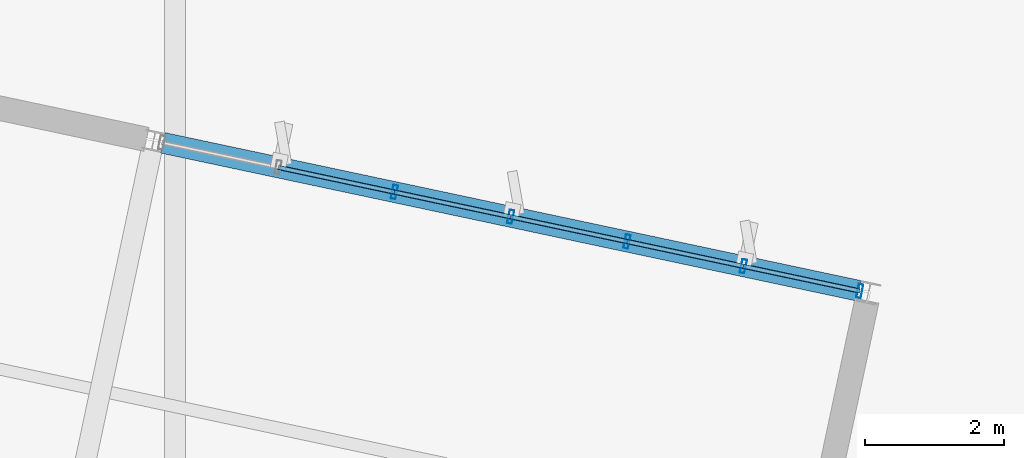
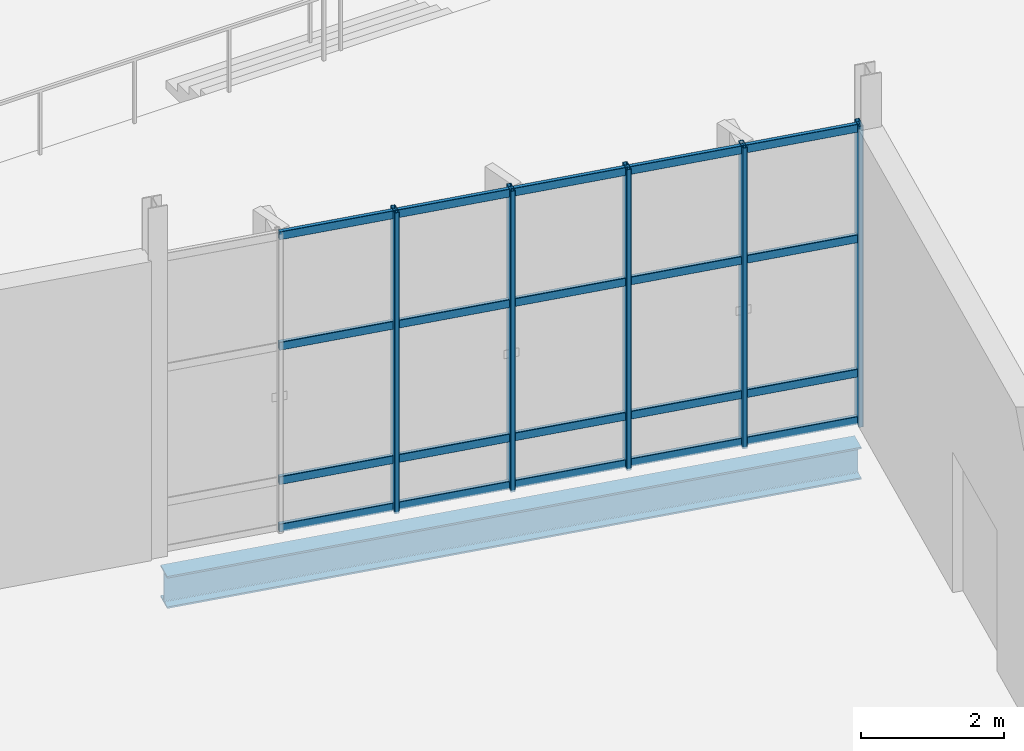
# One storey, part 59 of 163: 25 members, 1 beam, 1 element without a shape of its own.
"""IFC4 building model written with IfcOpenShell, lengths in metres."""

from ifc_helpers import new_model, si_unit, direction, frame, origin, origin_2d, place, context, subcontext, project, spatial, hollow_rectangle, i_section, extrude, material, layer, layer_set, material_profile, profile_set, type_object, element, aggregate, save


model = new_model("IFC4")

# Units and contexts
model_context = context("Model", 3, precision=1e-05, world=origin(), true_north=direction((0.0, 1.0)))
body_context = subcontext(model_context, "Body", "Model", "MODEL_VIEW")
ifc_project = project(units=[si_unit("LENGTHUNIT", "METRE"), si_unit("AREAUNIT", "SQUARE_METRE"), si_unit("VOLUMEUNIT", "CUBIC_METRE"), si_unit("PLANEANGLEUNIT", "RADIAN"), si_unit("MASSUNIT", "GRAM", prefix="KILO")], contexts=[model_context])

# Site, building, storey
site_placement = place(None, origin())
site = spatial("IfcSite", under=ifc_project, at=site_placement, CompositionType="ELEMENT")
building_placement = place(site_placement, origin())
building = spatial("IfcBuilding", under=site, at=building_placement, Name="Khorjan Park Terminus", CompositionType="ELEMENT")
storey_placement = place(building_placement, origin())
storey = spatial("IfcBuildingStorey", under=building, at=storey_placement, Name="L00", CompositionType="ELEMENT", Elevation=0.0)

# Beam
ifc_material_1 = material(Name="Steel S355", Category="steel")
ifc_material_profile_1 = material_profile(ifc_material_1, i_section(OverallWidth=0.3, OverallDepth=0.55, WebThickness=0.015, FlangeThickness=0.029, FilletRadius=0.027, at=origin_2d()), Name="HEB 550")
ifc_profile_set_1 = profile_set([ifc_material_profile_1], Name="Steel S355")
beam_type = type_object("IfcBeamType", Name="BM-HEB550", PredefinedType="BEAM", material=ifc_profile_set_1)
beam_placement = place(storey_placement, frame((23.8213, 80.6443, -0.615), z_axis=(0.978146464962, -0.207917034131, 0.0), x_axis=(0.207917034131, 0.978146464962, 0.0)))
element("IfcBeam", 1, at=beam_placement, inside=storey, type_object=beam_type, Name="Primary skew-grid floor girder SB-B55 (L00)", PredefinedType="BEAM", context=body_context, shape_type="SweptSolid", body=[
    extrude(i_section(OverallWidth=0.3, OverallDepth=0.55, WebThickness=0.015, FlangeThickness=0.029, FilletRadius=0.027, at=origin_2d()), origin(), (0.0, 0.0, 1.0), 10.2199),
])

# Curtain wall, members
ifc_material_2 = material(Name="Anodized Bronze Aluminium", Category="aluminium")
ifc_layer = layer(ifc_material_2, 0.22)
ifc_layer_set = layer_set([ifc_layer], Name="Anodized Bronze Aluminium")
curtain_wall_type = type_object("IfcCurtainWallType", Name="CW-PAV-C", PredefinedType="NOTDEFINED", material=ifc_layer_set)
curtain_wall_placement = place(storey_placement, origin())
curtain_wall = element("IfcCurtainWall", 2, at=curtain_wall_placement, inside=storey, type_object=curtain_wall_type, Name="Unitized curtain wall CW-C (CW-V4-N-L00-B01)", PredefinedType="NOTDEFINED")
ifc_material_profile_2 = material_profile(ifc_material_2, hollow_rectangle(XDim=0.07, YDim=0.2, WallThickness=0.005, InnerFilletRadius=0.005, OuterFilletRadius=0.01, at=origin_2d()), Name="ALM 70x200x5")
ifc_profile_set_2 = profile_set([ifc_material_profile_2], Name="Anodized Bronze Aluminium")
member_type_1 = type_object("IfcMemberType", Name="ML-ALM-200", PredefinedType="MULLION", material=ifc_profile_set_2)
member_1_placement = place(storey_placement, frame((33.8329, 78.5163, -0.035), z_axis=(0.0, 0.0, 1.0), x_axis=(-0.978149552254, 0.207902509423, 0.0)))
member_1 = element("IfcMember", 3, at=member_1_placement, type_object=member_type_1, Name="Curtain-wall mullion ML-20 (CW-V4-N-L00-B01-0)", PredefinedType="MULLION", context=body_context, shape_type="SweptSolid", body=[
    extrude(hollow_rectangle(XDim=0.07, YDim=0.2, WallThickness=0.005, InnerFilletRadius=0.005, OuterFilletRadius=0.01, at=origin_2d()), origin(), (0.0, 0.0, 1.0), 5.145),
])
member_2_placement = place(storey_placement, frame((32.1618, 78.8715, -0.035), z_axis=(0.0, 0.0, 1.0), x_axis=(-0.978149552254, 0.207902509423, 0.0)))
member_2 = element("IfcMember", 4, at=member_2_placement, type_object=member_type_1, Name="Curtain-wall mullion ML-20 (CW-V4-N-L00-B01-1)", PredefinedType="MULLION", context=body_context, shape_type="SweptSolid", body=[
    extrude(hollow_rectangle(XDim=0.07, YDim=0.2, WallThickness=0.005, InnerFilletRadius=0.005, OuterFilletRadius=0.01, at=origin_2d()), origin(), (0.0, 0.0, 1.0), 5.145),
])
member_3_placement = place(storey_placement, frame((30.4907, 79.2267, -0.035), z_axis=(0.0, 0.0, 1.0), x_axis=(-0.978149552254, 0.207902509423, 0.0)))
member_3 = element("IfcMember", 5, at=member_3_placement, type_object=member_type_1, Name="Curtain-wall mullion ML-20 (CW-V4-N-L00-B01-2)", PredefinedType="MULLION", context=body_context, shape_type="SweptSolid", body=[
    extrude(hollow_rectangle(XDim=0.07, YDim=0.2, WallThickness=0.005, InnerFilletRadius=0.005, OuterFilletRadius=0.01, at=origin_2d()), origin(), (0.0, 0.0, 1.0), 5.145),
])
member_4_placement = place(storey_placement, frame((28.8197, 79.5819, -0.035), z_axis=(0.0, 0.0, 1.0), x_axis=(-0.978149552254, 0.207902509423, 0.0)))
member_4 = element("IfcMember", 6, at=member_4_placement, type_object=member_type_1, Name="Curtain-wall mullion ML-20 (CW-V4-N-L00-B01-3)", PredefinedType="MULLION", context=body_context, shape_type="SweptSolid", body=[
    extrude(hollow_rectangle(XDim=0.07, YDim=0.2, WallThickness=0.005, InnerFilletRadius=0.005, OuterFilletRadius=0.01, at=origin_2d()), origin(), (0.0, 0.0, 1.0), 5.145),
])
member_5_placement = place(storey_placement, frame((27.1486, 79.937, -0.035), z_axis=(0.0, 0.0, 1.0), x_axis=(-0.978149552254, 0.207902509423, 0.0)))
member_5 = element("IfcMember", 7, at=member_5_placement, type_object=member_type_1, Name="Curtain-wall mullion ML-20 (CW-V4-N-L00-B01-4)", PredefinedType="MULLION", context=body_context, shape_type="SweptSolid", body=[
    extrude(hollow_rectangle(XDim=0.07, YDim=0.2, WallThickness=0.005, InnerFilletRadius=0.005, OuterFilletRadius=0.01, at=origin_2d()), origin(), (0.0, 0.0, 1.0), 5.145),
])
ifc_material_profile_3 = material_profile(ifc_material_2, hollow_rectangle(XDim=0.065, YDim=0.14, WallThickness=0.004, InnerFilletRadius=0.004, OuterFilletRadius=0.008, at=origin_2d()), Name="ALT 65x140x4")
ifc_profile_set_3 = profile_set([ifc_material_profile_3], Name="Anodized Bronze Aluminium")
member_type_2 = type_object("IfcMemberType", Name="TR-ALT-140", PredefinedType="USERDEFINED", material=ifc_profile_set_3)
member_6_placement = place(storey_placement, frame((33.8329, 78.5163, 0.04), z_axis=(-0.978147990011, 0.207909859405, 0.0), x_axis=(-0.207909859405, -0.978147990011, 0.0)))
member_6 = element("IfcMember", 8, at=member_6_placement, type_object=member_type_2, Name="Curtain-wall transom TR-14 (CW-V4-N-L00-B01-0-1)", ObjectType="TRANSOM", PredefinedType="USERDEFINED", context=body_context, shape_type="SweptSolid", body=[
    extrude(hollow_rectangle(XDim=0.065, YDim=0.14, WallThickness=0.004, InnerFilletRadius=0.004, OuterFilletRadius=0.008, at=origin_2d()), origin(), (0.0, 0.0, 1.0), 1.7084),
])
member_7_placement = place(storey_placement, frame((33.8329, 78.5163, 0.85), z_axis=(-0.978147990011, 0.207909859405, 0.0), x_axis=(-0.207909859405, -0.978147990011, 0.0)))
member_7 = element("IfcMember", 9, at=member_7_placement, type_object=member_type_2, Name="Curtain-wall transom TR-14 (CW-V4-N-L00-B01-0-2)", ObjectType="TRANSOM", PredefinedType="USERDEFINED", context=body_context, shape_type="SweptSolid", body=[
    extrude(hollow_rectangle(XDim=0.065, YDim=0.14, WallThickness=0.004, InnerFilletRadius=0.004, OuterFilletRadius=0.008, at=origin_2d()), origin(), (0.0, 0.0, 1.0), 1.7084),
])
member_8_placement = place(storey_placement, frame((33.8329, 78.5163, 3.1465), z_axis=(-0.978147990011, 0.207909859405, 0.0), x_axis=(-0.207909859405, -0.978147990011, 0.0)))
member_8 = element("IfcMember", 10, at=member_8_placement, type_object=member_type_2, Name="Curtain-wall transom TR-14 (CW-V4-N-L00-B01-0-3)", ObjectType="TRANSOM", PredefinedType="USERDEFINED", context=body_context, shape_type="SweptSolid", body=[
    extrude(hollow_rectangle(XDim=0.065, YDim=0.14, WallThickness=0.004, InnerFilletRadius=0.004, OuterFilletRadius=0.008, at=origin_2d()), origin(), (0.0, 0.0, 1.0), 1.7084),
])
member_9_placement = place(storey_placement, frame((33.8329, 78.5163, 5.035), z_axis=(-0.978147990011, 0.207909859405, 0.0), x_axis=(-0.207909859405, -0.978147990011, 0.0)))
member_9 = element("IfcMember", 11, at=member_9_placement, type_object=member_type_2, Name="Curtain-wall transom TR-14 (CW-V4-N-L00-B01-0-4)", ObjectType="TRANSOM", PredefinedType="USERDEFINED", context=body_context, shape_type="SweptSolid", body=[
    extrude(hollow_rectangle(XDim=0.065, YDim=0.14, WallThickness=0.004, InnerFilletRadius=0.004, OuterFilletRadius=0.008, at=origin_2d()), origin(), (0.0, 0.0, 1.0), 1.7084),
])
member_10_placement = place(storey_placement, frame((32.1618, 78.8715, 0.04), z_axis=(-0.978147990011, 0.207909859405, 0.0), x_axis=(-0.207909859405, -0.978147990011, 0.0)))
member_10 = element("IfcMember", 12, at=member_10_placement, type_object=member_type_2, Name="Curtain-wall transom TR-14 (CW-V4-N-L00-B01-1-1)", ObjectType="TRANSOM", PredefinedType="USERDEFINED", context=body_context, shape_type="SweptSolid", body=[
    extrude(hollow_rectangle(XDim=0.065, YDim=0.14, WallThickness=0.004, InnerFilletRadius=0.004, OuterFilletRadius=0.008, at=origin_2d()), origin(), (0.0, 0.0, 1.0), 1.7084),
])
member_11_placement = place(storey_placement, frame((32.1618, 78.8715, 0.85), z_axis=(-0.978147990011, 0.207909859405, 0.0), x_axis=(-0.207909859405, -0.978147990011, 0.0)))
member_11 = element("IfcMember", 13, at=member_11_placement, type_object=member_type_2, Name="Curtain-wall transom TR-14 (CW-V4-N-L00-B01-1-2)", ObjectType="TRANSOM", PredefinedType="USERDEFINED", context=body_context, shape_type="SweptSolid", body=[
    extrude(hollow_rectangle(XDim=0.065, YDim=0.14, WallThickness=0.004, InnerFilletRadius=0.004, OuterFilletRadius=0.008, at=origin_2d()), origin(), (0.0, 0.0, 1.0), 1.7084),
])
member_12_placement = place(storey_placement, frame((32.1618, 78.8715, 3.1465), z_axis=(-0.978147990011, 0.207909859405, 0.0), x_axis=(-0.207909859405, -0.978147990011, 0.0)))
member_12 = element("IfcMember", 14, at=member_12_placement, type_object=member_type_2, Name="Curtain-wall transom TR-14 (CW-V4-N-L00-B01-1-3)", ObjectType="TRANSOM", PredefinedType="USERDEFINED", context=body_context, shape_type="SweptSolid", body=[
    extrude(hollow_rectangle(XDim=0.065, YDim=0.14, WallThickness=0.004, InnerFilletRadius=0.004, OuterFilletRadius=0.008, at=origin_2d()), origin(), (0.0, 0.0, 1.0), 1.7084),
])
member_13_placement = place(storey_placement, frame((32.1618, 78.8715, 5.035), z_axis=(-0.978147990011, 0.207909859405, 0.0), x_axis=(-0.207909859405, -0.978147990011, 0.0)))
member_13 = element("IfcMember", 15, at=member_13_placement, type_object=member_type_2, Name="Curtain-wall transom TR-14 (CW-V4-N-L00-B01-1-4)", ObjectType="TRANSOM", PredefinedType="USERDEFINED", context=body_context, shape_type="SweptSolid", body=[
    extrude(hollow_rectangle(XDim=0.065, YDim=0.14, WallThickness=0.004, InnerFilletRadius=0.004, OuterFilletRadius=0.008, at=origin_2d()), origin(), (0.0, 0.0, 1.0), 1.7084),
])
member_14_placement = place(storey_placement, frame((30.4907, 79.2267, 0.04), z_axis=(-0.978145459608, 0.207921763766, 0.0), x_axis=(-0.207921763766, -0.978145459608, 0.0)))
member_14 = element("IfcMember", 16, at=member_14_placement, type_object=member_type_2, Name="Curtain-wall transom TR-14 (CW-V4-N-L00-B01-2-1)", ObjectType="TRANSOM", PredefinedType="USERDEFINED", context=body_context, shape_type="SweptSolid", body=[
    extrude(hollow_rectangle(XDim=0.065, YDim=0.14, WallThickness=0.004, InnerFilletRadius=0.004, OuterFilletRadius=0.008, at=origin_2d()), origin(), (0.0, 0.0, 1.0), 1.7083),
])
member_15_placement = place(storey_placement, frame((30.4907, 79.2267, 0.85), z_axis=(-0.978145459608, 0.207921763766, 0.0), x_axis=(-0.207921763766, -0.978145459608, 0.0)))
member_15 = element("IfcMember", 17, at=member_15_placement, type_object=member_type_2, Name="Curtain-wall transom TR-14 (CW-V4-N-L00-B01-2-2)", ObjectType="TRANSOM", PredefinedType="USERDEFINED", context=body_context, shape_type="SweptSolid", body=[
    extrude(hollow_rectangle(XDim=0.065, YDim=0.14, WallThickness=0.004, InnerFilletRadius=0.004, OuterFilletRadius=0.008, at=origin_2d()), origin(), (0.0, 0.0, 1.0), 1.7083),
])
member_16_placement = place(storey_placement, frame((30.4907, 79.2267, 3.1465), z_axis=(-0.978145459608, 0.207921763766, 0.0), x_axis=(-0.207921763766, -0.978145459608, 0.0)))
member_16 = element("IfcMember", 18, at=member_16_placement, type_object=member_type_2, Name="Curtain-wall transom TR-14 (CW-V4-N-L00-B01-2-3)", ObjectType="TRANSOM", PredefinedType="USERDEFINED", context=body_context, shape_type="SweptSolid", body=[
    extrude(hollow_rectangle(XDim=0.065, YDim=0.14, WallThickness=0.004, InnerFilletRadius=0.004, OuterFilletRadius=0.008, at=origin_2d()), origin(), (0.0, 0.0, 1.0), 1.7083),
])
member_17_placement = place(storey_placement, frame((30.4907, 79.2267, 5.035), z_axis=(-0.978145459608, 0.207921763766, 0.0), x_axis=(-0.207921763766, -0.978145459608, 0.0)))
member_17 = element("IfcMember", 19, at=member_17_placement, type_object=member_type_2, Name="Curtain-wall transom TR-14 (CW-V4-N-L00-B01-2-4)", ObjectType="TRANSOM", PredefinedType="USERDEFINED", context=body_context, shape_type="SweptSolid", body=[
    extrude(hollow_rectangle(XDim=0.065, YDim=0.14, WallThickness=0.004, InnerFilletRadius=0.004, OuterFilletRadius=0.008, at=origin_2d()), origin(), (0.0, 0.0, 1.0), 1.7083),
])
member_18_placement = place(storey_placement, frame((28.8197, 79.5819, 0.04), z_axis=(-0.978159892247, 0.207853855387, 0.0), x_axis=(-0.207853855387, -0.978159892247, 0.0)))
member_18 = element("IfcMember", 20, at=member_18_placement, type_object=member_type_2, Name="Curtain-wall transom TR-14 (CW-V4-N-L00-B01-3-1)", ObjectType="TRANSOM", PredefinedType="USERDEFINED", context=body_context, shape_type="SweptSolid", body=[
    extrude(hollow_rectangle(XDim=0.065, YDim=0.14, WallThickness=0.004, InnerFilletRadius=0.004, OuterFilletRadius=0.008, at=origin_2d()), origin(), (0.0, 0.0, 1.0), 1.7084),
])
member_19_placement = place(storey_placement, frame((28.8197, 79.5819, 0.85), z_axis=(-0.978159892247, 0.207853855387, 0.0), x_axis=(-0.207853855387, -0.978159892247, 0.0)))
member_19 = element("IfcMember", 21, at=member_19_placement, type_object=member_type_2, Name="Curtain-wall transom TR-14 (CW-V4-N-L00-B01-3-2)", ObjectType="TRANSOM", PredefinedType="USERDEFINED", context=body_context, shape_type="SweptSolid", body=[
    extrude(hollow_rectangle(XDim=0.065, YDim=0.14, WallThickness=0.004, InnerFilletRadius=0.004, OuterFilletRadius=0.008, at=origin_2d()), origin(), (0.0, 0.0, 1.0), 1.7084),
])
member_20_placement = place(storey_placement, frame((28.8197, 79.5819, 3.1465), z_axis=(-0.978159892247, 0.207853855387, 0.0), x_axis=(-0.207853855387, -0.978159892247, 0.0)))
member_20 = element("IfcMember", 22, at=member_20_placement, type_object=member_type_2, Name="Curtain-wall transom TR-14 (CW-V4-N-L00-B01-3-3)", ObjectType="TRANSOM", PredefinedType="USERDEFINED", context=body_context, shape_type="SweptSolid", body=[
    extrude(hollow_rectangle(XDim=0.065, YDim=0.14, WallThickness=0.004, InnerFilletRadius=0.004, OuterFilletRadius=0.008, at=origin_2d()), origin(), (0.0, 0.0, 1.0), 1.7084),
])
member_21_placement = place(storey_placement, frame((28.8197, 79.5819, 5.035), z_axis=(-0.978159892247, 0.207853855387, 0.0), x_axis=(-0.207853855387, -0.978159892247, 0.0)))
member_21 = element("IfcMember", 23, at=member_21_placement, type_object=member_type_2, Name="Curtain-wall transom TR-14 (CW-V4-N-L00-B01-3-4)", ObjectType="TRANSOM", PredefinedType="USERDEFINED", context=body_context, shape_type="SweptSolid", body=[
    extrude(hollow_rectangle(XDim=0.065, YDim=0.14, WallThickness=0.004, InnerFilletRadius=0.004, OuterFilletRadius=0.008, at=origin_2d()), origin(), (0.0, 0.0, 1.0), 1.7084),
])
member_22_placement = place(storey_placement, frame((27.1486, 79.937, 0.04), z_axis=(-0.978147990011, 0.207909859405, 0.0), x_axis=(-0.207909859405, -0.978147990011, 0.0)))
member_22 = element("IfcMember", 24, at=member_22_placement, type_object=member_type_2, Name="Curtain-wall transom TR-14 (CW-V4-N-L00-B01-4-1)", ObjectType="TRANSOM", PredefinedType="USERDEFINED", context=body_context, shape_type="SweptSolid", body=[
    extrude(hollow_rectangle(XDim=0.065, YDim=0.14, WallThickness=0.004, InnerFilletRadius=0.004, OuterFilletRadius=0.008, at=origin_2d()), origin(), (0.0, 0.0, 1.0), 1.7084),
])
member_23_placement = place(storey_placement, frame((27.1486, 79.937, 0.85), z_axis=(-0.978147990011, 0.207909859405, 0.0), x_axis=(-0.207909859405, -0.978147990011, 0.0)))
member_23 = element("IfcMember", 25, at=member_23_placement, type_object=member_type_2, Name="Curtain-wall transom TR-14 (CW-V4-N-L00-B01-4-2)", ObjectType="TRANSOM", PredefinedType="USERDEFINED", context=body_context, shape_type="SweptSolid", body=[
    extrude(hollow_rectangle(XDim=0.065, YDim=0.14, WallThickness=0.004, InnerFilletRadius=0.004, OuterFilletRadius=0.008, at=origin_2d()), origin(), (0.0, 0.0, 1.0), 1.7084),
])
member_24_placement = place(storey_placement, frame((27.1486, 79.937, 3.1465), z_axis=(-0.978147990011, 0.207909859405, 0.0), x_axis=(-0.207909859405, -0.978147990011, 0.0)))
member_24 = element("IfcMember", 26, at=member_24_placement, type_object=member_type_2, Name="Curtain-wall transom TR-14 (CW-V4-N-L00-B01-4-3)", ObjectType="TRANSOM", PredefinedType="USERDEFINED", context=body_context, shape_type="SweptSolid", body=[
    extrude(hollow_rectangle(XDim=0.065, YDim=0.14, WallThickness=0.004, InnerFilletRadius=0.004, OuterFilletRadius=0.008, at=origin_2d()), origin(), (0.0, 0.0, 1.0), 1.7084),
])
member_25_placement = place(storey_placement, frame((27.1486, 79.937, 5.035), z_axis=(-0.978147990011, 0.207909859405, 0.0), x_axis=(-0.207909859405, -0.978147990011, 0.0)))
member_25 = element("IfcMember", 27, at=member_25_placement, type_object=member_type_2, Name="Curtain-wall transom TR-14 (CW-V4-N-L00-B01-4-4)", ObjectType="TRANSOM", PredefinedType="USERDEFINED", context=body_context, shape_type="SweptSolid", body=[
    extrude(hollow_rectangle(XDim=0.065, YDim=0.14, WallThickness=0.004, InnerFilletRadius=0.004, OuterFilletRadius=0.008, at=origin_2d()), origin(), (0.0, 0.0, 1.0), 1.7084),
])
aggregate(curtain_wall, [member_1, member_2, member_3, member_4, member_5, member_6, member_7, member_8, member_9, member_10, member_11, member_12, member_13, member_14, member_15, member_16, member_17, member_18, member_19, member_20, member_21, member_22, member_23, member_24, member_25])

save(model, "model.ifc")
